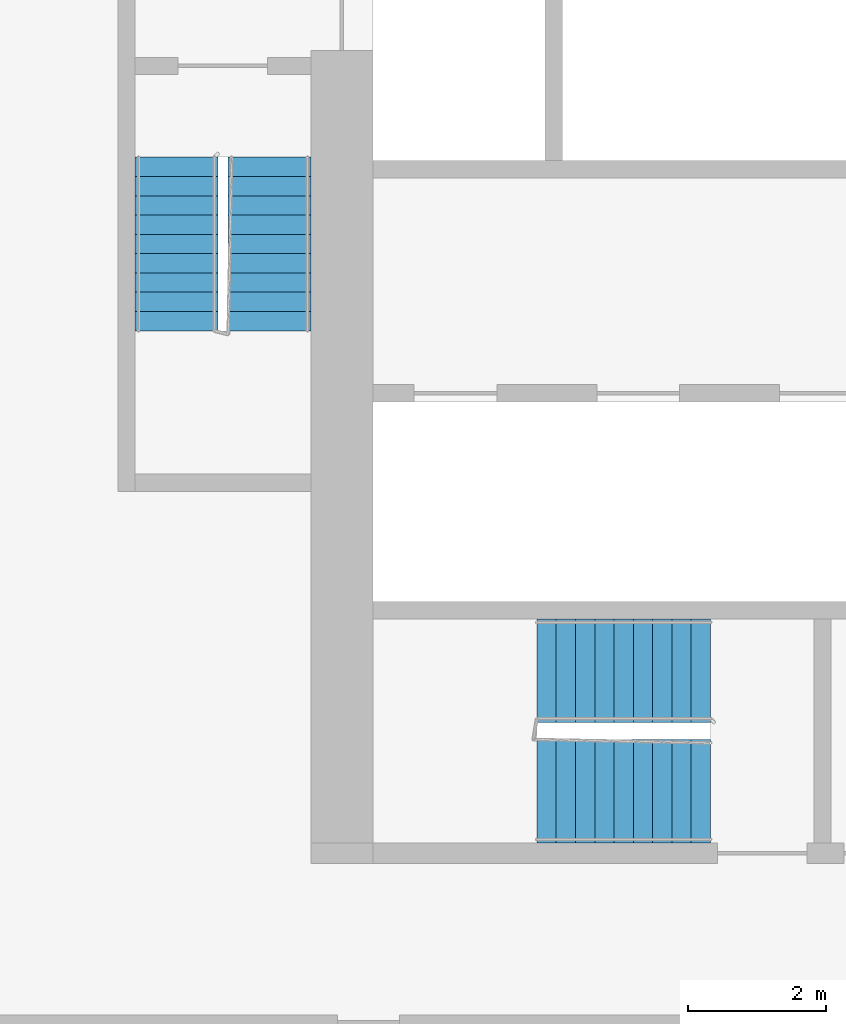
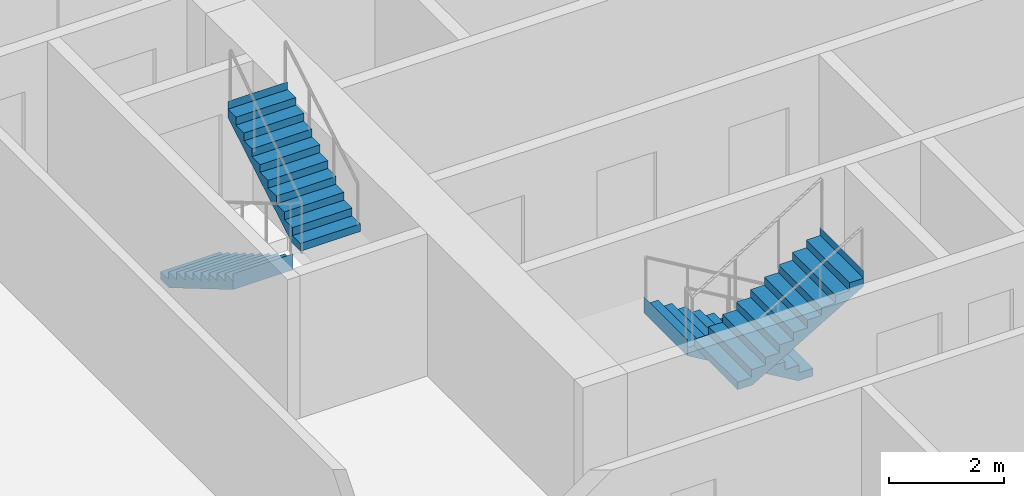
# One storey, part 9 of 12: 4 stair flights, 2 elements without a shape of their own.
"""IFC4 building model written with IfcOpenShell, lengths in metres."""

import ifcopenshell
import ifcopenshell.guid

model = None  # the IFC model being written
_history = None  # IfcOwnerHistory: only IFC2X3 demands one
_inside = {}  # id of a spatial element -> (the spatial element, [elements in it])
_under = {}  # id of a project, library or spatial element -> (it, [spatial elements below it])
_declared = {}  # id of a project -> (the project, [libraries it declares])
_typed = {}  # id of a type object -> (the type object, [elements of that type])
_made_of = {}  # id of a material, layer set ... -> (it, [elements and type objects made of it])


def new_model(schema):
    """Start an empty IFC model of exactly this schema.

    Asked for "IFC4X3", IfcOpenShell would pick the latest addendum, in which some entities
    have other attributes; the version numbers below select the first issue.
    IFC2X3 requires an IfcOwnerHistory on every rooted entity: one is made here for all.
    """
    global model, _history
    if schema == "IFC4X3":
        model = ifcopenshell.file(schema_version=(4, 3, 0, 0))
    else:
        model = ifcopenshell.file(schema=schema)
    _inside.clear()
    _under.clear()
    _declared.clear()
    _typed.clear()
    _made_of.clear()
    _history = None
    if model.schema == "IFC2X3":
        org = make("IfcOrganization", Name="unknown")
        user = make(
            "IfcPersonAndOrganization",
            ThePerson=make("IfcPerson", FamilyName="unknown"),
            TheOrganization=org,
        )
        app = make(
            "IfcApplication",
            ApplicationDeveloper=org,
            Version="unknown",
            ApplicationFullName="unknown",
            ApplicationIdentifier="unknown",
        )
        _history = make(
            "IfcOwnerHistory",
            OwningUser=user,
            OwningApplication=app,
            ChangeAction="ADDED",
            CreationDate=0,
        )
    return model


def make(cls, **values):
    """One entity of the class cls with the attributes given. An attribute that is None is left unset."""
    return model.create_entity(
        cls, **{name: value for name, value in values.items() if value is not None}
    )


def rooted(cls, **values):
    """An entity with a GlobalId (a new one), such as an element, a storey or a relation."""
    return make(cls, GlobalId=ifcopenshell.guid.new(), OwnerHistory=_history, **values)


def si_unit(unit_type, name, prefix=None):
    """IfcSIUnit, for example si_unit("LENGTHUNIT", "METRE", prefix="MILLI")."""
    return make("IfcSIUnit", UnitType=unit_type, Prefix=prefix, Name=name)


def assignment(units):
    """IfcUnitAssignment: the units of a project."""
    return None if units is None else make("IfcUnitAssignment", Units=units)


def point(xyz):
    """IfcCartesianPoint."""
    return None if xyz is None else make("IfcCartesianPoint", Coordinates=xyz)


def direction(xyz):
    """IfcDirection."""
    return None if xyz is None else make("IfcDirection", DirectionRatios=xyz)


def frame(location, z_axis=None, x_axis=None):
    """IfcAxis2Placement3D, a coordinate frame: its origin and axes. An axis left out is left unset."""
    return make(
        "IfcAxis2Placement3D",
        Location=point(location),
        Axis=direction(z_axis),
        RefDirection=direction(x_axis),
    )


def origin():
    """The frame at (0, 0, 0) with its axes left unset."""
    return frame((0.0, 0.0, 0.0))


def place(relative_to, where):
    """IfcLocalPlacement: puts the frame where relative to a parent placement (None: the world)."""
    return make(
        "IfcLocalPlacement", PlacementRelTo=relative_to, RelativePlacement=where
    )


def context(
    kind, dimensions, precision=None, world=None, true_north=None, identifier=None
):
    """IfcGeometricRepresentationContext, for example the 3D "Model" context."""
    return make(
        "IfcGeometricRepresentationContext",
        ContextIdentifier=identifier,
        ContextType=kind,
        CoordinateSpaceDimension=dimensions,
        Precision=precision,
        WorldCoordinateSystem=world,
        TrueNorth=true_north,
    )


def subcontext(parent, identifier, kind, view, scale=None):
    """IfcGeometricRepresentationSubContext, for example "Body" below "Model"."""
    return make(
        "IfcGeometricRepresentationSubContext",
        ContextIdentifier=identifier,
        ContextType=kind,
        ParentContext=parent,
        TargetScale=scale,
        TargetView=view,
    )


def project(units=None, contexts=None):
    """IfcProject with its units and contexts."""
    return rooted(
        "IfcProject",
        Name="project",
        RepresentationContexts=contexts,
        UnitsInContext=assignment(units),
    )


def spatial(cls, under=None, at=None, **own):
    """A site, building, storey or space (cls), placed at a placement, below another one or the project."""
    s = rooted(cls, ObjectPlacement=at, **own)
    if under is not None:
        _under.setdefault(under.id(), (under, []))[1].append(s)
    return s


def faces_of(points, faces, orient=None, outer=None):
    """IfcFace entities. A face is a list of loops; a loop is a list of indices into points, from 0.

    orient and outer hold one flag for each loop. By default every Orientation is true, the
    first loop of a face is its IfcFaceOuterBound and the others are IfcFaceBound.
    """
    made = []
    for i, loops in enumerate(faces):
        bounds = []
        for j, loop in enumerate(loops):
            is_outer = j == 0 if outer is None else outer[i][j]
            bounds.append(
                make(
                    "IfcFaceOuterBound" if is_outer else "IfcFaceBound",
                    Bound=make("IfcPolyLoop", Polygon=[points[k] for k in loop]),
                    Orientation=True if orient is None else orient[i][j],
                )
            )
        made.append(make("IfcFace", Bounds=bounds))
    return made


def faceted_brep(points, faces, orient=None, outer=None, voids=None):
    """IfcFacetedBrep: a solid bounded by flat faces; with voids (closed shells), ...WithVoids."""
    shared = [point(p) for p in points]
    hull = make("IfcClosedShell", CfsFaces=faces_of(shared, faces, orient, outer))
    if voids is None:
        return make("IfcFacetedBrep", Outer=hull)
    return make(
        "IfcFacetedBrepWithVoids",
        Outer=hull,
        Voids=[
            make(cls, CfsFaces=faces_of(shared, fs, o, b)) for cls, fs, o, b in voids
        ],
    )


def shape(context_of_items, identifier, shape_type, items):
    """IfcShapeRepresentation: the items that make up one representation, for example the "Body"."""
    return make(
        "IfcShapeRepresentation",
        ContextOfItems=context_of_items,
        RepresentationIdentifier=identifier,
        RepresentationType=shape_type,
        Items=items,
    )


def material(Name=None, Category=None):
    """IfcMaterial."""
    return make("IfcMaterial", Name=Name, Category=Category)


def made_of(thing, what):
    """Note that an element or type object is made of a material, layer set ...; save() writes the relation."""
    if what is not None:
        _made_of.setdefault(what.id(), (what, []))[1].append(thing)
    return thing


def type_object(cls, material=None, **own):
    """A type object (cls), such as IfcWallType, which elements share."""
    return made_of(rooted(cls, **own), material)


def element(
    cls,
    number,
    at=None,
    inside=None,
    cuts=None,
    type_object=None,
    material=None,
    context=None,
    identifier="Body",
    shape_type=None,
    held_by="IfcProductDefinitionShape",
    body=None,
    shapes=None,
    **own,
):
    """One element of the class cls, such as IfcWall. Its Tag is "e" and its number.

    at: its placement. inside: the storey or other place that contains it. cuts: it is an
    opening in that element (IfcRelVoidsElement). A single representation is given by context,
    identifier, shape_type and body (its items); several are given by shapes. held_by: the class
    of the entity that holds the representations. save() writes the other relations.
    """
    e = rooted(cls, Tag="e%d" % number, ObjectPlacement=at, **own)
    if body is not None:
        shapes = [shape(context, identifier, shape_type, body)]
    if shapes is not None:
        e.Representation = make(held_by, Representations=shapes)
    if inside is not None:
        _inside.setdefault(inside.id(), (inside, []))[1].append(e)
    if cuts is not None:
        rooted(
            "IfcRelVoidsElement", RelatingBuildingElement=cuts, RelatedOpeningElement=e
        )
    if type_object is not None:
        _typed.setdefault(type_object.id(), (type_object, []))[1].append(e)
    return made_of(e, material)


def aggregate(whole, parts):
    """IfcRelAggregates: a whole, such as a stair, and the parts it consists of."""
    return rooted("IfcRelAggregates", RelatingObject=whole, RelatedObjects=parts)


def save(model, path):
    """Write the relations noted so far, then the file.

    IfcRelAggregates (storeys below a building ...), IfcRelContainedInSpatialStructure (elements
    in a storey), IfcRelDefinesByType, IfcRelAssociatesMaterial and IfcRelDeclares: one each for
    every whole, place, type object, material and project.
    """
    for whole, parts in _under.values():
        aggregate(whole, parts)
    for where, things in _inside.values():
        rooted(
            "IfcRelContainedInSpatialStructure",
            RelatedElements=things,
            RelatingStructure=where,
        )
    for kind, things in _typed.values():
        rooted("IfcRelDefinesByType", RelatedObjects=things, RelatingType=kind)
    for what, things in _made_of.values():
        rooted("IfcRelAssociatesMaterial", RelatedObjects=things, RelatingMaterial=what)
    for by, libraries in _declared.values():
        rooted("IfcRelDeclares", RelatingContext=by, RelatedDefinitions=libraries)
    model.write(path)


model = new_model("IFC4")

# Units and contexts
model_context = context("Model", 3, precision=1e-05, world=origin(), true_north=direction((0.0, 1.0)))
body_context = subcontext(model_context, "Body", "Model", "MODEL_VIEW")
ifc_project = project(units=[si_unit("LENGTHUNIT", "METRE"), si_unit("AREAUNIT", "SQUARE_METRE"), si_unit("VOLUMEUNIT", "CUBIC_METRE"), si_unit("PLANEANGLEUNIT", "RADIAN"), si_unit("MASSUNIT", "GRAM", prefix="KILO")], contexts=[model_context])

# Site, building, storey
site_placement = place(None, origin())
site = spatial("IfcSite", under=ifc_project, at=site_placement, CompositionType="ELEMENT")
building_placement = place(site_placement, origin())
building = spatial("IfcBuilding", under=site, at=building_placement, Name="Kajstack Hotel Tower", CompositionType="ELEMENT")
storey_placement = place(building_placement, frame((0.0, 0.0, 66.60009765625)))
storey = spatial("IfcBuildingStorey", under=building, at=storey_placement, Name="L11", CompositionType="ELEMENT", Elevation=66.60009765625)

# Stair, stair flights
ifc_material = material(Name="Concrete C40/50", Category="concrete")
stair_type_1 = type_object("IfcStairType", Name="Exit stair 1200", PredefinedType="HALF_TURN_STAIR", material=ifc_material)
stair_1_placement = place(storey_placement, origin())
stair_1 = element("IfcStair", 1, at=stair_1_placement, inside=storey, type_object=stair_type_1, Name="L11 stair W1", PredefinedType="HALF_TURN_STAIR")
stair_flight_type_1 = type_object("IfcStairFlightType", Name="Exit stair flight 1200", PredefinedType="STRAIGHT", material=ifc_material)
stair_flight_1_placement = place(storey_placement, frame((-33.449951171875, -5.25, 0.0), z_axis=(0.0, 0.0, 1.0), x_axis=(0.0, -1.0, 0.0)))
stair_flight_1 = element("IfcStairFlight", 2, at=stair_flight_1_placement, type_object=stair_flight_type_1, Name="W1 flight 1", NumberOfRisers=10, NumberOfTreads=9, PredefinedType="STRAIGHT", RiserHeight=0.165, TreadLength=0.28, context=body_context, shape_type="Brep", body=[
    faceted_brep([(0.295654296875, -0.60009765625, 0.0), (2.5205078125, -0.60009765625, 1.31103515625), (2.5205078125, -0.60009765625, 1.64990234375), (2.52001953125, -0.60009765625, 1.64990234375), (2.52001953125, -0.60009765625, 1.485107421875), (2.239990234375, -0.60009765625, 1.485107421875), (2.239990234375, -0.60009765625, 1.320068359375), (1.9599609375, -0.60009765625, 1.320068359375), (1.9599609375, -0.60009765625, 1.155029296875), (1.679931640625, -0.60009765625, 1.155029296875), (1.679931640625, -0.60009765625, 0.989990234375), (1.39990234375, -0.60009765625, 0.989990234375), (1.39990234375, -0.60009765625, 0.824951171875), (1.1201171875, -0.60009765625, 0.824951171875), (1.1201171875, -0.60009765625, 0.659912109375), (0.840087890625, -0.60009765625, 0.659912109375), (0.840087890625, -0.60009765625, 0.4951171875), (0.56005859375, -0.60009765625, 0.4951171875), (0.56005859375, -0.60009765625, 0.330078125), (0.280029296875, -0.60009765625, 0.330078125), (0.280029296875, -0.60009765625, 0.1650390625), (-0.00048828125, -0.60009765625, 0.1650390625), (-0.00048828125, -0.60009765625, 0.0), (-0.00048828125, 0.60009765625, 0.0), (-0.00048828125, 0.60009765625, 0.1650390625), (0.280029296875, 0.60009765625, 0.1650390625), (0.280029296875, 0.60009765625, 0.330078125), (0.56005859375, 0.60009765625, 0.330078125), (0.56005859375, 0.60009765625, 0.4951171875), (0.840087890625, 0.60009765625, 0.4951171875), (0.840087890625, 0.60009765625, 0.659912109375), (1.1201171875, 0.60009765625, 0.659912109375), (1.1201171875, 0.60009765625, 0.824951171875), (1.39990234375, 0.60009765625, 0.824951171875), (1.39990234375, 0.60009765625, 0.989990234375), (1.679931640625, 0.60009765625, 0.989990234375), (1.679931640625, 0.60009765625, 1.155029296875), (1.9599609375, 0.60009765625, 1.155029296875), (1.9599609375, 0.60009765625, 1.320068359375), (2.239990234375, 0.60009765625, 1.320068359375), (2.239990234375, 0.60009765625, 1.485107421875), (2.52001953125, 0.60009765625, 1.485107421875), (2.52001953125, 0.60009765625, 1.64990234375), (2.5205078125, 0.60009765625, 1.64990234375), (2.5205078125, 0.60009765625, 1.31103515625), (0.295654296875, 0.60009765625, 0.0), (-0.00048828125, -0.300048828125, 0.1650390625), (-0.00048828125, 0.0, 0.1650390625), (-0.00048828125, 0.300048828125, 0.1650390625), (-0.00048828125, 0.300048828125, 0.0), (-0.00048828125, 0.0, 0.0), (-0.00048828125, -0.300048828125, 0.0), (0.280029296875, -0.300048828125, 0.1650390625), (0.280029296875, 0.0, 0.1650390625), (0.280029296875, 0.300048828125, 0.1650390625), (0.280029296875, -0.300048828125, 0.330078125), (0.280029296875, 0.0, 0.330078125), (0.280029296875, 0.300048828125, 0.330078125), (0.56005859375, -0.300048828125, 0.330078125), (0.56005859375, 0.0, 0.330078125), (0.56005859375, 0.300048828125, 0.330078125), (0.56005859375, -0.300048828125, 0.4951171875), (0.56005859375, 0.0, 0.4951171875), (0.56005859375, 0.300048828125, 0.4951171875), (0.840087890625, -0.300048828125, 0.4951171875), (0.840087890625, 0.0, 0.4951171875), (0.840087890625, 0.300048828125, 0.4951171875), (0.840087890625, -0.300048828125, 0.659912109375), (0.840087890625, 0.0, 0.659912109375), (0.840087890625, 0.300048828125, 0.659912109375), (1.1201171875, -0.300048828125, 0.659912109375), (1.1201171875, 0.0, 0.659912109375), (1.1201171875, 0.300048828125, 0.659912109375), (1.1201171875, -0.300048828125, 0.824951171875), (1.1201171875, 0.0, 0.824951171875), (1.1201171875, 0.300048828125, 0.824951171875), (1.39990234375, -0.300048828125, 0.824951171875), (1.39990234375, 0.0, 0.824951171875), (1.39990234375, 0.300048828125, 0.824951171875), (1.39990234375, -0.300048828125, 0.989990234375), (1.39990234375, 0.0, 0.989990234375), (1.39990234375, 0.300048828125, 0.989990234375), (1.679931640625, -0.300048828125, 0.989990234375), (1.679931640625, 0.0, 0.989990234375), (1.679931640625, 0.300048828125, 0.989990234375), (1.679931640625, -0.300048828125, 1.155029296875), (1.679931640625, 0.0, 1.155029296875), (1.679931640625, 0.300048828125, 1.155029296875), (1.9599609375, -0.300048828125, 1.155029296875), (1.9599609375, 0.0, 1.155029296875), (1.9599609375, 0.300048828125, 1.155029296875), (1.9599609375, -0.300048828125, 1.320068359375), (1.9599609375, 0.0, 1.320068359375), (1.9599609375, 0.300048828125, 1.320068359375), (2.239990234375, -0.300048828125, 1.320068359375), (2.239990234375, 0.0, 1.320068359375), (2.239990234375, 0.300048828125, 1.320068359375), (2.239990234375, -0.300048828125, 1.485107421875), (2.239990234375, 0.0, 1.485107421875), (2.239990234375, 0.300048828125, 1.485107421875), (2.52001953125, -0.300048828125, 1.485107421875), (2.52001953125, 0.0, 1.485107421875), (2.52001953125, 0.300048828125, 1.485107421875), (2.52001953125, -0.300048828125, 1.64990234375), (2.52001953125, 0.0, 1.64990234375), (2.52001953125, 0.300048828125, 1.64990234375), (2.5205078125, -0.300048828125, 1.64990234375), (2.5205078125, 0.0, 1.64990234375), (2.5205078125, 0.300048828125, 1.64990234375), (2.5205078125, -0.300048828125, 1.31103515625), (2.5205078125, 0.0, 1.31103515625), (2.5205078125, 0.300048828125, 1.31103515625), (0.295654296875, -0.300048828125, 0.0), (0.295654296875, 0.0, 0.0), (0.295654296875, 0.300048828125, 0.0)], [[[0, 1, 2, 3, 4, 5, 6, 7, 8, 9, 10, 11, 12, 13, 14, 15, 16, 17, 18, 19, 20, 21, 22]], [[23, 24, 25, 26, 27, 28, 29, 30, 31, 32, 33, 34, 35, 36, 37, 38, 39, 40, 41, 42, 43, 44, 45]], [[21, 46, 47, 48, 24, 23, 49, 50, 51, 22]], [[20, 52, 53, 54, 25, 24, 48, 47, 46, 21]], [[19, 55, 56, 57, 26, 25, 54, 53, 52, 20]], [[18, 58, 59, 60, 27, 26, 57, 56, 55, 19]], [[17, 61, 62, 63, 28, 27, 60, 59, 58, 18]], [[16, 64, 65, 66, 29, 28, 63, 62, 61, 17]], [[15, 67, 68, 69, 30, 29, 66, 65, 64, 16]], [[14, 70, 71, 72, 31, 30, 69, 68, 67, 15]], [[13, 73, 74, 75, 32, 31, 72, 71, 70, 14]], [[12, 76, 77, 78, 33, 32, 75, 74, 73, 13]], [[11, 79, 80, 81, 34, 33, 78, 77, 76, 12]], [[10, 82, 83, 84, 35, 34, 81, 80, 79, 11]], [[9, 85, 86, 87, 36, 35, 84, 83, 82, 10]], [[8, 88, 89, 90, 37, 36, 87, 86, 85, 9]], [[7, 91, 92, 93, 38, 37, 90, 89, 88, 8]], [[6, 94, 95, 96, 39, 38, 93, 92, 91, 7]], [[5, 97, 98, 99, 40, 39, 96, 95, 94, 6]], [[4, 100, 101, 102, 41, 40, 99, 98, 97, 5]], [[3, 103, 104, 105, 42, 41, 102, 101, 100, 4]], [[2, 106, 107, 108, 43, 42, 105, 104, 103, 3]], [[1, 109, 110, 111, 44, 43, 108, 107, 106, 2]], [[0, 112, 113, 114, 45, 44, 111, 110, 109, 1]], [[22, 51, 50, 49, 23, 45, 114, 113, 112, 0]]]),
])
stair_flight_2_placement = place(storey_placement, frame((-32.10009765625, -7.77001953125, 1.64990234375), z_axis=(0.0, 0.0, 1.0), x_axis=(0.0, 1.0, 0.0)))
stair_flight_2 = element("IfcStairFlight", 3, at=stair_flight_2_placement, type_object=stair_flight_type_1, Name="W1 flight 2", NumberOfRisers=10, NumberOfTreads=9, PredefinedType="STRAIGHT", RiserHeight=0.165, TreadLength=0.28, context=body_context, shape_type="Brep", body=[
    faceted_brep([(0.295654296875, -0.60009765625, 0.0), (2.5205078125, -0.60009765625, 1.31103515625), (2.5205078125, -0.60009765625, 1.64990234375), (2.52001953125, -0.60009765625, 1.64990234375), (2.52001953125, -0.60009765625, 1.485107421875), (2.239990234375, -0.60009765625, 1.485107421875), (2.239990234375, -0.60009765625, 1.320068359375), (1.9599609375, -0.60009765625, 1.320068359375), (1.9599609375, -0.60009765625, 1.155029296875), (1.679931640625, -0.60009765625, 1.155029296875), (1.679931640625, -0.60009765625, 0.989990234375), (1.39990234375, -0.60009765625, 0.989990234375), (1.39990234375, -0.60009765625, 0.824951171875), (1.1201171875, -0.60009765625, 0.824951171875), (1.1201171875, -0.60009765625, 0.659912109375), (0.840087890625, -0.60009765625, 0.659912109375), (0.840087890625, -0.60009765625, 0.4951171875), (0.56005859375, -0.60009765625, 0.4951171875), (0.56005859375, -0.60009765625, 0.330078125), (0.280029296875, -0.60009765625, 0.330078125), (0.280029296875, -0.60009765625, 0.1650390625), (-0.00048828125, -0.60009765625, 0.1650390625), (-0.00048828125, -0.60009765625, 0.0), (-0.00048828125, 0.60009765625, 0.0), (-0.00048828125, 0.60009765625, 0.1650390625), (0.280029296875, 0.60009765625, 0.1650390625), (0.280029296875, 0.60009765625, 0.330078125), (0.56005859375, 0.60009765625, 0.330078125), (0.56005859375, 0.60009765625, 0.4951171875), (0.840087890625, 0.60009765625, 0.4951171875), (0.840087890625, 0.60009765625, 0.659912109375), (1.1201171875, 0.60009765625, 0.659912109375), (1.1201171875, 0.60009765625, 0.824951171875), (1.39990234375, 0.60009765625, 0.824951171875), (1.39990234375, 0.60009765625, 0.989990234375), (1.679931640625, 0.60009765625, 0.989990234375), (1.679931640625, 0.60009765625, 1.155029296875), (1.9599609375, 0.60009765625, 1.155029296875), (1.9599609375, 0.60009765625, 1.320068359375), (2.239990234375, 0.60009765625, 1.320068359375), (2.239990234375, 0.60009765625, 1.485107421875), (2.52001953125, 0.60009765625, 1.485107421875), (2.52001953125, 0.60009765625, 1.64990234375), (2.5205078125, 0.60009765625, 1.64990234375), (2.5205078125, 0.60009765625, 1.31103515625), (0.295654296875, 0.60009765625, 0.0), (-0.00048828125, -0.300048828125, 0.1650390625), (-0.00048828125, 0.0, 0.1650390625), (-0.00048828125, 0.300048828125, 0.1650390625), (-0.00048828125, 0.300048828125, 0.0), (-0.00048828125, 0.0, 0.0), (-0.00048828125, -0.300048828125, 0.0), (0.280029296875, -0.300048828125, 0.1650390625), (0.280029296875, 0.0, 0.1650390625), (0.280029296875, 0.300048828125, 0.1650390625), (0.280029296875, -0.300048828125, 0.330078125), (0.280029296875, 0.0, 0.330078125), (0.280029296875, 0.300048828125, 0.330078125), (0.56005859375, -0.300048828125, 0.330078125), (0.56005859375, 0.0, 0.330078125), (0.56005859375, 0.300048828125, 0.330078125), (0.56005859375, -0.300048828125, 0.4951171875), (0.56005859375, 0.0, 0.4951171875), (0.56005859375, 0.300048828125, 0.4951171875), (0.840087890625, -0.300048828125, 0.4951171875), (0.840087890625, 0.0, 0.4951171875), (0.840087890625, 0.300048828125, 0.4951171875), (0.840087890625, -0.300048828125, 0.659912109375), (0.840087890625, 0.0, 0.659912109375), (0.840087890625, 0.300048828125, 0.659912109375), (1.1201171875, -0.300048828125, 0.659912109375), (1.1201171875, 0.0, 0.659912109375), (1.1201171875, 0.300048828125, 0.659912109375), (1.1201171875, -0.300048828125, 0.824951171875), (1.1201171875, 0.0, 0.824951171875), (1.1201171875, 0.300048828125, 0.824951171875), (1.39990234375, -0.300048828125, 0.824951171875), (1.39990234375, 0.0, 0.824951171875), (1.39990234375, 0.300048828125, 0.824951171875), (1.39990234375, -0.300048828125, 0.989990234375), (1.39990234375, 0.0, 0.989990234375), (1.39990234375, 0.300048828125, 0.989990234375), (1.679931640625, -0.300048828125, 0.989990234375), (1.679931640625, 0.0, 0.989990234375), (1.679931640625, 0.300048828125, 0.989990234375), (1.679931640625, -0.300048828125, 1.155029296875), (1.679931640625, 0.0, 1.155029296875), (1.679931640625, 0.300048828125, 1.155029296875), (1.9599609375, -0.300048828125, 1.155029296875), (1.9599609375, 0.0, 1.155029296875), (1.9599609375, 0.300048828125, 1.155029296875), (1.9599609375, -0.300048828125, 1.320068359375), (1.9599609375, 0.0, 1.320068359375), (1.9599609375, 0.300048828125, 1.320068359375), (2.239990234375, -0.300048828125, 1.320068359375), (2.239990234375, 0.0, 1.320068359375), (2.239990234375, 0.300048828125, 1.320068359375), (2.239990234375, -0.300048828125, 1.485107421875), (2.239990234375, 0.0, 1.485107421875), (2.239990234375, 0.300048828125, 1.485107421875), (2.52001953125, -0.300048828125, 1.485107421875), (2.52001953125, 0.0, 1.485107421875), (2.52001953125, 0.300048828125, 1.485107421875), (2.52001953125, -0.300048828125, 1.64990234375), (2.52001953125, 0.0, 1.64990234375), (2.52001953125, 0.300048828125, 1.64990234375), (2.5205078125, -0.300048828125, 1.64990234375), (2.5205078125, 0.0, 1.64990234375), (2.5205078125, 0.300048828125, 1.64990234375), (2.5205078125, -0.300048828125, 1.31103515625), (2.5205078125, 0.0, 1.31103515625), (2.5205078125, 0.300048828125, 1.31103515625), (0.295654296875, -0.300048828125, 0.0), (0.295654296875, 0.0, 0.0), (0.295654296875, 0.300048828125, 0.0)], [[[0, 1, 2, 3, 4, 5, 6, 7, 8, 9, 10, 11, 12, 13, 14, 15, 16, 17, 18, 19, 20, 21, 22]], [[23, 24, 25, 26, 27, 28, 29, 30, 31, 32, 33, 34, 35, 36, 37, 38, 39, 40, 41, 42, 43, 44, 45]], [[21, 46, 47, 48, 24, 23, 49, 50, 51, 22]], [[20, 52, 53, 54, 25, 24, 48, 47, 46, 21]], [[19, 55, 56, 57, 26, 25, 54, 53, 52, 20]], [[18, 58, 59, 60, 27, 26, 57, 56, 55, 19]], [[17, 61, 62, 63, 28, 27, 60, 59, 58, 18]], [[16, 64, 65, 66, 29, 28, 63, 62, 61, 17]], [[15, 67, 68, 69, 30, 29, 66, 65, 64, 16]], [[14, 70, 71, 72, 31, 30, 69, 68, 67, 15]], [[13, 73, 74, 75, 32, 31, 72, 71, 70, 14]], [[12, 76, 77, 78, 33, 32, 75, 74, 73, 13]], [[11, 79, 80, 81, 34, 33, 78, 77, 76, 12]], [[10, 82, 83, 84, 35, 34, 81, 80, 79, 11]], [[9, 85, 86, 87, 36, 35, 84, 83, 82, 10]], [[8, 88, 89, 90, 37, 36, 87, 86, 85, 9]], [[7, 91, 92, 93, 38, 37, 90, 89, 88, 8]], [[6, 94, 95, 96, 39, 38, 93, 92, 91, 7]], [[5, 97, 98, 99, 40, 39, 96, 95, 94, 6]], [[4, 100, 101, 102, 41, 40, 99, 98, 97, 5]], [[3, 103, 104, 105, 42, 41, 102, 101, 100, 4]], [[2, 106, 107, 108, 43, 42, 105, 104, 103, 3]], [[1, 109, 110, 111, 44, 43, 108, 107, 106, 2]], [[0, 112, 113, 114, 45, 44, 111, 110, 109, 1]], [[22, 51, 50, 49, 23, 45, 114, 113, 112, 0]]]),
])
aggregate(stair_1, [stair_flight_1, stair_flight_2])

stair_type_2 = type_object("IfcStairType", Name="Exit stair 1500", PredefinedType="HALF_TURN_STAIR", material=ifc_material)
stair_2_placement = place(storey_placement, origin())
stair_2 = element("IfcStair", 4, at=stair_2_placement, inside=storey, type_object=stair_type_2, Name="L11 stair W3", PredefinedType="HALF_TURN_STAIR")
stair_flight_type_2 = type_object("IfcStairFlightType", Name="Exit stair flight 1500", PredefinedType="STRAIGHT", material=ifc_material)
stair_flight_3_placement = place(storey_placement, frame((-25.699951171875, -12.699951171875, 0.0), z_axis=(0.0, 0.0, 1.0), x_axis=(-1.0, 0.0, 0.0)))
stair_flight_3 = element("IfcStairFlight", 5, at=stair_flight_3_placement, type_object=stair_flight_type_2, Name="W3 flight 1", NumberOfRisers=10, NumberOfTreads=9, PredefinedType="STRAIGHT", RiserHeight=0.165, TreadLength=0.28, context=body_context, shape_type="Brep", body=[
    faceted_brep([(0.295654296875, -0.75, 0.0), (2.5205078125, -0.75, 1.31103515625), (2.5205078125, -0.75, 1.64990234375), (2.52001953125, -0.75, 1.64990234375), (2.52001953125, -0.75, 1.485107421875), (2.239990234375, -0.75, 1.485107421875), (2.239990234375, -0.75, 1.320068359375), (1.9599609375, -0.75, 1.320068359375), (1.9599609375, -0.75, 1.155029296875), (1.679931640625, -0.75, 1.155029296875), (1.679931640625, -0.75, 0.989990234375), (1.39990234375, -0.75, 0.989990234375), (1.39990234375, -0.75, 0.824951171875), (1.1201171875, -0.75, 0.824951171875), (1.1201171875, -0.75, 0.659912109375), (0.840087890625, -0.75, 0.659912109375), (0.840087890625, -0.75, 0.4951171875), (0.56005859375, -0.75, 0.4951171875), (0.56005859375, -0.75, 0.330078125), (0.280029296875, -0.75, 0.330078125), (0.280029296875, -0.75, 0.1650390625), (-0.00048828125, -0.75, 0.1650390625), (-0.00048828125, -0.75, 0.0), (-0.00048828125, 0.75, 0.0), (-0.00048828125, 0.75, 0.1650390625), (0.280029296875, 0.75, 0.1650390625), (0.280029296875, 0.75, 0.330078125), (0.56005859375, 0.75, 0.330078125), (0.56005859375, 0.75, 0.4951171875), (0.840087890625, 0.75, 0.4951171875), (0.840087890625, 0.75, 0.659912109375), (1.1201171875, 0.75, 0.659912109375), (1.1201171875, 0.75, 0.824951171875), (1.39990234375, 0.75, 0.824951171875), (1.39990234375, 0.75, 0.989990234375), (1.679931640625, 0.75, 0.989990234375), (1.679931640625, 0.75, 1.155029296875), (1.9599609375, 0.75, 1.155029296875), (1.9599609375, 0.75, 1.320068359375), (2.239990234375, 0.75, 1.320068359375), (2.239990234375, 0.75, 1.485107421875), (2.52001953125, 0.75, 1.485107421875), (2.52001953125, 0.75, 1.64990234375), (2.5205078125, 0.75, 1.64990234375), (2.5205078125, 0.75, 1.31103515625), (0.295654296875, 0.75, 0.0), (-0.00048828125, -0.375, 0.1650390625), (-0.00048828125, 0.0, 0.1650390625), (-0.00048828125, 0.375, 0.1650390625), (-0.00048828125, 0.375, 0.0), (-0.00048828125, 0.0, 0.0), (-0.00048828125, -0.375, 0.0), (0.280029296875, -0.375, 0.1650390625), (0.280029296875, 0.0, 0.1650390625), (0.280029296875, 0.375, 0.1650390625), (0.280029296875, -0.375, 0.330078125), (0.280029296875, 0.0, 0.330078125), (0.280029296875, 0.375, 0.330078125), (0.56005859375, -0.375, 0.330078125), (0.56005859375, 0.0, 0.330078125), (0.56005859375, 0.375, 0.330078125), (0.56005859375, -0.375, 0.4951171875), (0.56005859375, 0.0, 0.4951171875), (0.56005859375, 0.375, 0.4951171875), (0.840087890625, -0.375, 0.4951171875), (0.840087890625, 0.0, 0.4951171875), (0.840087890625, 0.375, 0.4951171875), (0.840087890625, -0.375, 0.659912109375), (0.840087890625, 0.0, 0.659912109375), (0.840087890625, 0.375, 0.659912109375), (1.1201171875, -0.375, 0.659912109375), (1.1201171875, 0.0, 0.659912109375), (1.1201171875, 0.375, 0.659912109375), (1.1201171875, -0.375, 0.824951171875), (1.1201171875, 0.0, 0.824951171875), (1.1201171875, 0.375, 0.824951171875), (1.39990234375, -0.375, 0.824951171875), (1.39990234375, 0.0, 0.824951171875), (1.39990234375, 0.375, 0.824951171875), (1.39990234375, -0.375, 0.989990234375), (1.39990234375, 0.0, 0.989990234375), (1.39990234375, 0.375, 0.989990234375), (1.679931640625, -0.375, 0.989990234375), (1.679931640625, 0.0, 0.989990234375), (1.679931640625, 0.375, 0.989990234375), (1.679931640625, -0.375, 1.155029296875), (1.679931640625, 0.0, 1.155029296875), (1.679931640625, 0.375, 1.155029296875), (1.9599609375, -0.375, 1.155029296875), (1.9599609375, 0.0, 1.155029296875), (1.9599609375, 0.375, 1.155029296875), (1.9599609375, -0.375, 1.320068359375), (1.9599609375, 0.0, 1.320068359375), (1.9599609375, 0.375, 1.320068359375), (2.239990234375, -0.375, 1.320068359375), (2.239990234375, 0.0, 1.320068359375), (2.239990234375, 0.375, 1.320068359375), (2.239990234375, -0.375, 1.485107421875), (2.239990234375, 0.0, 1.485107421875), (2.239990234375, 0.375, 1.485107421875), (2.52001953125, -0.375, 1.485107421875), (2.52001953125, 0.0, 1.485107421875), (2.52001953125, 0.375, 1.485107421875), (2.52001953125, -0.375, 1.64990234375), (2.52001953125, 0.0, 1.64990234375), (2.52001953125, 0.375, 1.64990234375), (2.5205078125, -0.375, 1.64990234375), (2.5205078125, 0.0, 1.64990234375), (2.5205078125, 0.375, 1.64990234375), (2.5205078125, -0.375, 1.31103515625), (2.5205078125, 0.0, 1.31103515625), (2.5205078125, 0.375, 1.31103515625), (0.295654296875, -0.375, 0.0), (0.295654296875, 0.0, 0.0), (0.295654296875, 0.375, 0.0)], [[[0, 1, 2, 3, 4, 5, 6, 7, 8, 9, 10, 11, 12, 13, 14, 15, 16, 17, 18, 19, 20, 21, 22]], [[23, 24, 25, 26, 27, 28, 29, 30, 31, 32, 33, 34, 35, 36, 37, 38, 39, 40, 41, 42, 43, 44, 45]], [[21, 46, 47, 48, 24, 23, 49, 50, 51, 22]], [[20, 52, 53, 54, 25, 24, 48, 47, 46, 21]], [[19, 55, 56, 57, 26, 25, 54, 53, 52, 20]], [[18, 58, 59, 60, 27, 26, 57, 56, 55, 19]], [[17, 61, 62, 63, 28, 27, 60, 59, 58, 18]], [[16, 64, 65, 66, 29, 28, 63, 62, 61, 17]], [[15, 67, 68, 69, 30, 29, 66, 65, 64, 16]], [[14, 70, 71, 72, 31, 30, 69, 68, 67, 15]], [[13, 73, 74, 75, 32, 31, 72, 71, 70, 14]], [[12, 76, 77, 78, 33, 32, 75, 74, 73, 13]], [[11, 79, 80, 81, 34, 33, 78, 77, 76, 12]], [[10, 82, 83, 84, 35, 34, 81, 80, 79, 11]], [[9, 85, 86, 87, 36, 35, 84, 83, 82, 10]], [[8, 88, 89, 90, 37, 36, 87, 86, 85, 9]], [[7, 91, 92, 93, 38, 37, 90, 89, 88, 8]], [[6, 94, 95, 96, 39, 38, 93, 92, 91, 7]], [[5, 97, 98, 99, 40, 39, 96, 95, 94, 6]], [[4, 100, 101, 102, 41, 40, 99, 98, 97, 5]], [[3, 103, 104, 105, 42, 41, 102, 101, 100, 4]], [[2, 106, 107, 108, 43, 42, 105, 104, 103, 3]], [[1, 109, 110, 111, 44, 43, 108, 107, 106, 2]], [[0, 112, 113, 114, 45, 44, 111, 110, 109, 1]], [[22, 51, 50, 49, 23, 45, 114, 113, 112, 0]]]),
])
stair_flight_4_placement = place(storey_placement, frame((-28.219970703125, -14.449951171875, 1.64990234375), z_axis=(0.0, 0.0, 1.0), x_axis=(1.0, 0.0, 0.0)))
stair_flight_4 = element("IfcStairFlight", 6, at=stair_flight_4_placement, type_object=stair_flight_type_2, Name="W3 flight 2", NumberOfRisers=10, NumberOfTreads=9, PredefinedType="STRAIGHT", RiserHeight=0.165, TreadLength=0.28, context=body_context, shape_type="Brep", body=[
    faceted_brep([(0.295654296875, -0.75, 0.0), (2.5205078125, -0.75, 1.31103515625), (2.5205078125, -0.75, 1.64990234375), (2.52001953125, -0.75, 1.64990234375), (2.52001953125, -0.75, 1.485107421875), (2.239990234375, -0.75, 1.485107421875), (2.239990234375, -0.75, 1.320068359375), (1.9599609375, -0.75, 1.320068359375), (1.9599609375, -0.75, 1.155029296875), (1.679931640625, -0.75, 1.155029296875), (1.679931640625, -0.75, 0.989990234375), (1.39990234375, -0.75, 0.989990234375), (1.39990234375, -0.75, 0.824951171875), (1.1201171875, -0.75, 0.824951171875), (1.1201171875, -0.75, 0.659912109375), (0.840087890625, -0.75, 0.659912109375), (0.840087890625, -0.75, 0.4951171875), (0.56005859375, -0.75, 0.4951171875), (0.56005859375, -0.75, 0.330078125), (0.280029296875, -0.75, 0.330078125), (0.280029296875, -0.75, 0.1650390625), (-0.00048828125, -0.75, 0.1650390625), (-0.00048828125, -0.75, 0.0), (-0.00048828125, 0.75, 0.0), (-0.00048828125, 0.75, 0.1650390625), (0.280029296875, 0.75, 0.1650390625), (0.280029296875, 0.75, 0.330078125), (0.56005859375, 0.75, 0.330078125), (0.56005859375, 0.75, 0.4951171875), (0.840087890625, 0.75, 0.4951171875), (0.840087890625, 0.75, 0.659912109375), (1.1201171875, 0.75, 0.659912109375), (1.1201171875, 0.75, 0.824951171875), (1.39990234375, 0.75, 0.824951171875), (1.39990234375, 0.75, 0.989990234375), (1.679931640625, 0.75, 0.989990234375), (1.679931640625, 0.75, 1.155029296875), (1.9599609375, 0.75, 1.155029296875), (1.9599609375, 0.75, 1.320068359375), (2.239990234375, 0.75, 1.320068359375), (2.239990234375, 0.75, 1.485107421875), (2.52001953125, 0.75, 1.485107421875), (2.52001953125, 0.75, 1.64990234375), (2.5205078125, 0.75, 1.64990234375), (2.5205078125, 0.75, 1.31103515625), (0.295654296875, 0.75, 0.0), (-0.00048828125, -0.375, 0.1650390625), (-0.00048828125, 0.0, 0.1650390625), (-0.00048828125, 0.375, 0.1650390625), (-0.00048828125, 0.375, 0.0), (-0.00048828125, 0.0, 0.0), (-0.00048828125, -0.375, 0.0), (0.280029296875, -0.375, 0.1650390625), (0.280029296875, 0.0, 0.1650390625), (0.280029296875, 0.375, 0.1650390625), (0.280029296875, -0.375, 0.330078125), (0.280029296875, 0.0, 0.330078125), (0.280029296875, 0.375, 0.330078125), (0.56005859375, -0.375, 0.330078125), (0.56005859375, 0.0, 0.330078125), (0.56005859375, 0.375, 0.330078125), (0.56005859375, -0.375, 0.4951171875), (0.56005859375, 0.0, 0.4951171875), (0.56005859375, 0.375, 0.4951171875), (0.840087890625, -0.375, 0.4951171875), (0.840087890625, 0.0, 0.4951171875), (0.840087890625, 0.375, 0.4951171875), (0.840087890625, -0.375, 0.659912109375), (0.840087890625, 0.0, 0.659912109375), (0.840087890625, 0.375, 0.659912109375), (1.1201171875, -0.375, 0.659912109375), (1.1201171875, 0.0, 0.659912109375), (1.1201171875, 0.375, 0.659912109375), (1.1201171875, -0.375, 0.824951171875), (1.1201171875, 0.0, 0.824951171875), (1.1201171875, 0.375, 0.824951171875), (1.39990234375, -0.375, 0.824951171875), (1.39990234375, 0.0, 0.824951171875), (1.39990234375, 0.375, 0.824951171875), (1.39990234375, -0.375, 0.989990234375), (1.39990234375, 0.0, 0.989990234375), (1.39990234375, 0.375, 0.989990234375), (1.679931640625, -0.375, 0.989990234375), (1.679931640625, 0.0, 0.989990234375), (1.679931640625, 0.375, 0.989990234375), (1.679931640625, -0.375, 1.155029296875), (1.679931640625, 0.0, 1.155029296875), (1.679931640625, 0.375, 1.155029296875), (1.9599609375, -0.375, 1.155029296875), (1.9599609375, 0.0, 1.155029296875), (1.9599609375, 0.375, 1.155029296875), (1.9599609375, -0.375, 1.320068359375), (1.9599609375, 0.0, 1.320068359375), (1.9599609375, 0.375, 1.320068359375), (2.239990234375, -0.375, 1.320068359375), (2.239990234375, 0.0, 1.320068359375), (2.239990234375, 0.375, 1.320068359375), (2.239990234375, -0.375, 1.485107421875), (2.239990234375, 0.0, 1.485107421875), (2.239990234375, 0.375, 1.485107421875), (2.52001953125, -0.375, 1.485107421875), (2.52001953125, 0.0, 1.485107421875), (2.52001953125, 0.375, 1.485107421875), (2.52001953125, -0.375, 1.64990234375), (2.52001953125, 0.0, 1.64990234375), (2.52001953125, 0.375, 1.64990234375), (2.5205078125, -0.375, 1.64990234375), (2.5205078125, 0.0, 1.64990234375), (2.5205078125, 0.375, 1.64990234375), (2.5205078125, -0.375, 1.31103515625), (2.5205078125, 0.0, 1.31103515625), (2.5205078125, 0.375, 1.31103515625), (0.295654296875, -0.375, 0.0), (0.295654296875, 0.0, 0.0), (0.295654296875, 0.375, 0.0)], [[[0, 1, 2, 3, 4, 5, 6, 7, 8, 9, 10, 11, 12, 13, 14, 15, 16, 17, 18, 19, 20, 21, 22]], [[23, 24, 25, 26, 27, 28, 29, 30, 31, 32, 33, 34, 35, 36, 37, 38, 39, 40, 41, 42, 43, 44, 45]], [[21, 46, 47, 48, 24, 23, 49, 50, 51, 22]], [[20, 52, 53, 54, 25, 24, 48, 47, 46, 21]], [[19, 55, 56, 57, 26, 25, 54, 53, 52, 20]], [[18, 58, 59, 60, 27, 26, 57, 56, 55, 19]], [[17, 61, 62, 63, 28, 27, 60, 59, 58, 18]], [[16, 64, 65, 66, 29, 28, 63, 62, 61, 17]], [[15, 67, 68, 69, 30, 29, 66, 65, 64, 16]], [[14, 70, 71, 72, 31, 30, 69, 68, 67, 15]], [[13, 73, 74, 75, 32, 31, 72, 71, 70, 14]], [[12, 76, 77, 78, 33, 32, 75, 74, 73, 13]], [[11, 79, 80, 81, 34, 33, 78, 77, 76, 12]], [[10, 82, 83, 84, 35, 34, 81, 80, 79, 11]], [[9, 85, 86, 87, 36, 35, 84, 83, 82, 10]], [[8, 88, 89, 90, 37, 36, 87, 86, 85, 9]], [[7, 91, 92, 93, 38, 37, 90, 89, 88, 8]], [[6, 94, 95, 96, 39, 38, 93, 92, 91, 7]], [[5, 97, 98, 99, 40, 39, 96, 95, 94, 6]], [[4, 100, 101, 102, 41, 40, 99, 98, 97, 5]], [[3, 103, 104, 105, 42, 41, 102, 101, 100, 4]], [[2, 106, 107, 108, 43, 42, 105, 104, 103, 3]], [[1, 109, 110, 111, 44, 43, 108, 107, 106, 2]], [[0, 112, 113, 114, 45, 44, 111, 110, 109, 1]], [[22, 51, 50, 49, 23, 45, 114, 113, 112, 0]]]),
])
aggregate(stair_2, [stair_flight_3, stair_flight_4])

save(model, "model.ifc")
